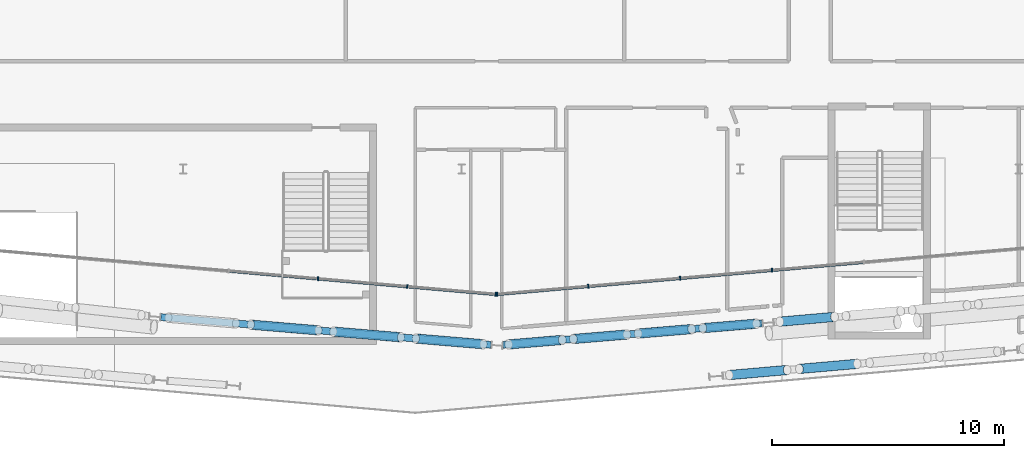
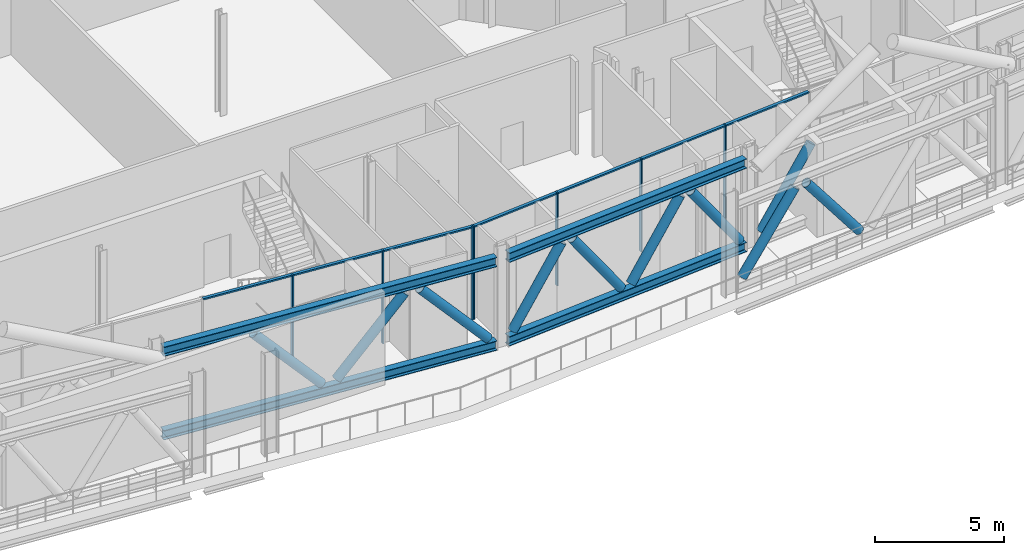
# One storey, part 7 of 35: 28 members, 2 elements without a shape of their own.
"""IFC4 building model written with IfcOpenShell, lengths in metres."""

from ifc_helpers import new_model, si_unit, direction, frame, origin, origin_2d, place, context, subcontext, project, spatial, rectangle, hollow_circle, i_section, extrude, material, material_profile, profile_set, type_object, element, aggregate, save


model = new_model("IFC4")

# Units and contexts
model_context = context("Model", 3, precision=1e-05, world=origin(), true_north=direction((0.0, 1.0)))
body_context = subcontext(model_context, "Body", "Model", "MODEL_VIEW")
ifc_project = project(units=[si_unit("LENGTHUNIT", "METRE"), si_unit("AREAUNIT", "SQUARE_METRE"), si_unit("VOLUMEUNIT", "CUBIC_METRE"), si_unit("PLANEANGLEUNIT", "RADIAN"), si_unit("MASSUNIT", "GRAM", prefix="KILO")], contexts=[model_context])

# Site, building, storey
site_placement = place(None, origin())
site = spatial("IfcSite", under=ifc_project, at=site_placement, CompositionType="ELEMENT")
building_placement = place(site_placement, origin())
building = spatial("IfcBuilding", under=site, at=building_placement, Name="Wharfspan Tower", CompositionType="ELEMENT")
storey_placement = place(building_placement, frame((0.0, 0.0, 202.300049)))
storey = spatial("IfcBuildingStorey", under=building, at=storey_placement, Name="L50", CompositionType="ELEMENT", Elevation=202.300049)

# Curtain wall, members
ifc_material_1 = material(Name="Aluminium 6063-T6", Category="aluminium")
curtain_wall_type = type_object("IfcCurtainWallType", Name="CURTAIN WALL BAND RECESS", PredefinedType="NOTDEFINED", material=ifc_material_1)
curtain_wall_1_placement = place(storey_placement, origin())
curtain_wall_1 = element("IfcCurtainWall", 1, at=curtain_wall_1_placement, inside=storey, type_object=curtain_wall_type, Name="Recess glazing R5", PredefinedType="NOTDEFINED")
ifc_material_profile_1 = material_profile(ifc_material_1, rectangle(XDim=0.159912, YDim=0.060059, at=origin_2d()))
ifc_profile_set_1 = profile_set([ifc_material_profile_1], Name="Aluminium 6063-T6")
member_type_1 = type_object("IfcMemberType", Name="MULLION BAND RECESS 60x160", PredefinedType="MULLION", material=ifc_profile_set_1)
member_1_placement = place(storey_placement, frame((61.378418, 7.143311, 0.0), z_axis=(0.0, 0.0, 1.0), x_axis=(0.087156, -0.996198, 0.0)))
member_1 = element("IfcMember", 2, at=member_1_placement, type_object=member_type_1, Name="Recess glazing R5 mullion 6", PredefinedType="MULLION", context=body_context, shape_type="SweptSolid", body=[
    extrude(rectangle(XDim=0.159912, YDim=0.060059, at=origin_2d()), origin(), (0.0, 0.0, 1.0), 4.399902),
])
member_2_placement = place(storey_placement, frame((57.418945, 6.796875, 0.0), z_axis=(0.0, 0.0, 1.0), x_axis=(0.087156, -0.996198, 0.0)))
member_2 = element("IfcMember", 3, at=member_2_placement, type_object=member_type_1, Name="Recess glazing R5 mullion 7", PredefinedType="MULLION", context=body_context, shape_type="SweptSolid", body=[
    extrude(rectangle(XDim=0.159912, YDim=0.060059, at=origin_2d()), origin(), (0.0, 0.0, 1.0), 4.399902),
])
member_3_placement = place(storey_placement, frame((53.459473, 6.450439, 0.0), z_axis=(0.0, 0.0, 1.0), x_axis=(0.087156, -0.996198, 0.0)))
member_3 = element("IfcMember", 4, at=member_3_placement, type_object=member_type_1, Name="Recess glazing R5 mullion 8", PredefinedType="MULLION", context=body_context, shape_type="SweptSolid", body=[
    extrude(rectangle(XDim=0.159912, YDim=0.060059, at=origin_2d()), origin(), (0.0, 0.0, 1.0), 4.399902),
])
member_4_placement = place(storey_placement, frame((49.529785, 6.106689, 0.0), z_axis=(0.0, 0.0, 1.0), x_axis=(0.087156, -0.996198, 0.0)))
member_4 = element("IfcMember", 5, at=member_4_placement, type_object=member_type_1, Name="Recess glazing R5 mullion 9", PredefinedType="MULLION", context=body_context, shape_type="SweptSolid", body=[
    extrude(rectangle(XDim=0.159912, YDim=0.060059, at=origin_2d()), origin(), (0.0, 0.0, 1.0), 4.399902),
])

curtain_wall_2_placement = place(storey_placement, origin())
curtain_wall_2 = element("IfcCurtainWall", 6, at=curtain_wall_2_placement, inside=storey, type_object=curtain_wall_type, Name="Recess glazing R6", PredefinedType="NOTDEFINED")
member_5_placement = place(storey_placement, frame((49.470215, 6.106689, 0.0), z_axis=(0.0, 0.0, 1.0), x_axis=(-0.087156, -0.996198, 0.0)))
member_5 = element("IfcMember", 7, at=member_5_placement, type_object=member_type_1, Name="Recess glazing R6 mullion 1", PredefinedType="MULLION", context=body_context, shape_type="SweptSolid", body=[
    extrude(rectangle(XDim=0.159912, YDim=0.060059, at=origin_2d()), origin(), (0.0, 0.0, 1.0), 4.399902),
])
member_6_placement = place(storey_placement, frame((45.657227, 6.440186, 0.0), z_axis=(0.0, 0.0, 1.0), x_axis=(-0.087156, -0.996198, 0.0)))
member_6 = element("IfcMember", 8, at=member_6_placement, type_object=member_type_1, Name="Recess glazing R6 mullion 2", PredefinedType="MULLION", context=body_context, shape_type="SweptSolid", body=[
    extrude(rectangle(XDim=0.159912, YDim=0.060059, at=origin_2d()), origin(), (0.0, 0.0, 1.0), 4.399902),
])
member_7_placement = place(storey_placement, frame((41.814209, 6.776611, 0.0), z_axis=(0.0, 0.0, 1.0), x_axis=(-0.087156, -0.996198, 0.0)))
member_7 = element("IfcMember", 9, at=member_7_placement, type_object=member_type_1, Name="Recess glazing R6 mullion 3", PredefinedType="MULLION", context=body_context, shape_type="SweptSolid", body=[
    extrude(rectangle(XDim=0.159912, YDim=0.060059, at=origin_2d()), origin(), (0.0, 0.0, 1.0), 4.399902),
])

# Member
ifc_material_profile_2 = material_profile(ifc_material_1, rectangle(XDim=0.139893, YDim=0.070068, at=origin_2d()))
ifc_profile_set_2 = profile_set([ifc_material_profile_2], Name="Aluminium 6063-T6")
member_type_2 = type_object("IfcMemberType", Name="TRANSOM BAND RECESS 70x140", PredefinedType="USERDEFINED", material=ifc_profile_set_2)
member_8_placement = place(storey_placement, frame((65.307861, 7.487061, 4.36499), z_axis=(-0.996197, -0.087127, 0.0), x_axis=(0.087127, -0.996197, 0.0)))
member_8 = element("IfcMember", 10, at=member_8_placement, type_object=member_type_2, Name="Recess glazing R5 transom 5", ObjectType="TRANSOM", PredefinedType="USERDEFINED", context=body_context, shape_type="SweptSolid", body=[
    extrude(rectangle(XDim=0.139893, YDim=0.070068, at=origin_2d()), origin(), (0.0, 0.0, 1.0), 3.914551),
])

member_9_placement = place(storey_placement, frame((61.348389, 7.140625, 4.36499), z_axis=(-0.996197, -0.087127, 0.0), x_axis=(0.087127, -0.996197, 0.0)))
member_9 = element("IfcMember", 11, at=member_9_placement, type_object=member_type_2, Name="Recess glazing R5 transom 6", ObjectType="TRANSOM", PredefinedType="USERDEFINED", context=body_context, shape_type="SweptSolid", body=[
    extrude(rectangle(XDim=0.139893, YDim=0.070068, at=origin_2d()), origin(), (0.0, 0.0, 1.0), 3.914551),
])

member_10_placement = place(storey_placement, frame((57.388916, 6.794189, 4.36499), z_axis=(-0.996197, -0.087127, 0.0), x_axis=(0.087127, -0.996197, 0.0)))
member_10 = element("IfcMember", 12, at=member_10_placement, type_object=member_type_2, Name="Recess glazing R5 transom 7", ObjectType="TRANSOM", PredefinedType="USERDEFINED", context=body_context, shape_type="SweptSolid", body=[
    extrude(rectangle(XDim=0.139893, YDim=0.070068, at=origin_2d()), origin(), (0.0, 0.0, 1.0), 3.914551),
])

member_11_placement = place(storey_placement, frame((53.429443, 6.447998, 4.36499), z_axis=(-0.996193, -0.087175, 0.0), x_axis=(0.087175, -0.996193, 0.0)))
member_11 = element("IfcMember", 13, at=member_11_placement, type_object=member_type_2, Name="Recess glazing R5 transom 8", ObjectType="TRANSOM", PredefinedType="USERDEFINED", context=body_context, shape_type="SweptSolid", body=[
    extrude(rectangle(XDim=0.139893, YDim=0.070068, at=origin_2d()), origin(), (0.0, 0.0, 1.0), 3.884521),
])

aggregate(curtain_wall_1, [member_1, member_2, member_3, member_4, member_8, member_9, member_10, member_11])

member_12_placement = place(storey_placement, frame((49.440186, 6.109375, 4.36499), z_axis=(-0.996194, 0.087158, 0.0), x_axis=(-0.087158, -0.996194, 0.0)))
member_12 = element("IfcMember", 14, at=member_12_placement, type_object=member_type_2, Name="Recess glazing R6 transom 1", ObjectType="TRANSOM", PredefinedType="USERDEFINED", context=body_context, shape_type="SweptSolid", body=[
    extrude(rectangle(XDim=0.139893, YDim=0.070068, at=origin_2d()), origin(), (0.0, 0.0, 1.0), 3.767578),
])

member_13_placement = place(storey_placement, frame((45.627197, 6.442871, 4.36499), z_axis=(-0.996193, 0.087179, 0.0), x_axis=(-0.087179, -0.996193, 0.0)))
member_13 = element("IfcMember", 15, at=member_13_placement, type_object=member_type_2, Name="Recess glazing R6 transom 2", ObjectType="TRANSOM", PredefinedType="USERDEFINED", context=body_context, shape_type="SweptSolid", body=[
    extrude(rectangle(XDim=0.139893, YDim=0.070068, at=origin_2d()), origin(), (0.0, 0.0, 1.0), 3.797363),
])

member_14_placement = place(storey_placement, frame((41.784424, 6.779053, 4.36499), z_axis=(-0.996193, 0.087173, 0.0), x_axis=(-0.087173, -0.996193, 0.0)))
member_14 = element("IfcMember", 16, at=member_14_placement, type_object=member_type_2, Name="Recess glazing R6 transom 3", ObjectType="TRANSOM", PredefinedType="USERDEFINED", context=body_context, shape_type="SweptSolid", body=[
    extrude(rectangle(XDim=0.139893, YDim=0.070068, at=origin_2d()), origin(), (0.0, 0.0, 1.0), 3.797607),
])

aggregate(curtain_wall_2, [member_5, member_6, member_7, member_12, member_13, member_14])

# Members
ifc_material_2 = material(Name="Steel S355J2", Category="steel")
ifc_material_profile_3 = material_profile(ifc_material_2, i_section(OverallWidth=0.300049, OverallDepth=0.449951, WebThickness=0.013916, FlangeThickness=0.025879, FilletRadius=0.0271, at=origin_2d()))
ifc_profile_set_3 = profile_set([ifc_material_profile_3], Name="Steel S355J2")
member_type_3 = type_object("IfcMemberType", Name="Truss chord HEB 450", PredefinedType="CHORD", material=ifc_profile_set_3)
for number, where, z_axis, x_axis, name in (
    (17, (35.04248, 5.121338, 4.175049), (0.996474, -0.083904, 0.0), (0.083904, 0.996474, 0.0), "Belt truss chord T L50 S1 PS1.2 to PS1.3"),
    (18, (35.04248, 5.121338, 0.224854), (0.996474, -0.083904, 0.0), (0.083904, 0.996474, 0.0), "Belt truss chord B L50 S1 PS1.2 to PS1.3"),
):
    element("IfcMember", number, at=place(storey_placement, frame(where, z_axis=z_axis, x_axis=x_axis)), inside=storey, type_object=member_type_3, Name=name, PredefinedType="CHORD", context=body_context, shape_type="SweptSolid", body=[
        extrude(i_section(OverallWidth=0.300049, OverallDepth=0.449951, WebThickness=0.013916, FlangeThickness=0.025879, FilletRadius=0.0271, at=origin_2d()), origin(), (0.0, 0.0, 1.0), 14.269531),
    ])
for number, where, z_axis, x_axis, name in (
    (19, (49.787842, 3.924316, 4.175049), (0.996519, 0.08337, 0.0), (-0.08337, 0.996519, 0.0), "Belt truss chord T L50 S2 PS1.3 to PS2.1"),
    (20, (49.787842, 3.924316, 0.224854), (0.996519, 0.08337, 0.0), (-0.08337, 0.996519, 0.0), "Belt truss chord B L50 S2 PS1.3 to PS2.1"),
):
    element("IfcMember", number, at=place(storey_placement, frame(where, z_axis=z_axis, x_axis=x_axis)), inside=storey, type_object=member_type_3, Name=name, PredefinedType="CHORD", context=body_context, shape_type="SweptSolid", body=[
        extrude(i_section(OverallWidth=0.300049, OverallDepth=0.449951, WebThickness=0.013916, FlangeThickness=0.025879, FilletRadius=0.0271, at=origin_2d()), origin(), (0.0, 0.0, 1.0), 11.192383),
    ])
ifc_material_3 = material(Name="Steel S460NH", Category="steel")
ifc_material_profile_4 = material_profile(ifc_material_3, hollow_circle(Radius=0.203125, WallThickness=0.016113, at=origin_2d()))
ifc_profile_set_4 = profile_set([ifc_material_profile_4], Name="Steel S460NH")
member_type_4 = type_object("IfcMemberType", Name="Truss diagonal CHS 406.4x16", PredefinedType="BRACE", material=ifc_profile_set_4)
for number, where, z_axis, x_axis, name in (
    (21, (38.922363, 4.794678, 3.813721), (0.667906, -0.056248, -0.742117), (0.083922, 0.996476, 3e-06), "Belt truss diagonal L50 S1 PS1.2 to PS1.3 2"),
    (22, (42.477051, 4.495361, 0.586182), (0.667906, -0.056248, 0.742117), (0.083922, 0.996476, -3e-06), "Belt truss diagonal L50 S1 PS1.2 to PS1.3 3"),
    (23, (46.031982, 4.196045, 3.813721), (0.667906, -0.056248, -0.742117), (0.083922, 0.996476, 3e-06), "Belt truss diagonal L50 S1 PS1.2 to PS1.3 4"),
):
    element("IfcMember", number, at=place(storey_placement, frame(where, z_axis=z_axis, x_axis=x_axis)), inside=storey, type_object=member_type_4, Name=name, PredefinedType="BRACE", context=body_context, shape_type="SweptSolid", body=[
        extrude(hollow_circle(Radius=0.203125, WallThickness=0.016113, at=origin_2d()), origin(), (0.0, 0.0, 1.0), 4.349121),
    ])
for number, where, z_axis, x_axis, name in (
    (24, (50.029541, 3.944336, 0.567383), (0.576034, 0.048201, 0.816003), (-0.083382, 0.996521, -3e-06), "Belt truss diagonal L50 S2 PS1.3 to PS2.1 1"),
    (25, (52.817871, 4.177734, 3.83252), (0.576034, 0.048201, -0.816003), (-0.083382, 0.996521, 3e-06), "Belt truss diagonal L50 S2 PS1.3 to PS2.1 2"),
    (26, (55.606201, 4.411133, 0.567383), (0.576034, 0.048201, 0.816003), (-0.083382, 0.996521, -3e-06), "Belt truss diagonal L50 S2 PS1.3 to PS2.1 3"),
    (27, (58.394531, 4.644531, 3.83252), (0.576036, 0.04814, -0.816005), (-0.083282, 0.996523, -1e-06), "Belt truss diagonal L50 S2 PS1.3 to PS2.1 4"),
):
    element("IfcMember", number, at=place(storey_placement, frame(where, z_axis=z_axis, x_axis=x_axis)), inside=storey, type_object=member_type_4, Name=name, PredefinedType="BRACE", context=body_context, shape_type="SweptSolid", body=[
        extrude(hollow_circle(Radius=0.203125, WallThickness=0.016113, at=origin_2d()), origin(), (0.0, 0.0, 1.0), 4.001465),
    ])
member_15_placement = place(storey_placement, frame((61.711914, 4.923828, 0.569336), z_axis=(0.584744, 0.051214, 0.809599), x_axis=(-0.087247, 0.996188, -2e-06)))
element("IfcMember", 28, at=member_15_placement, inside=storey, type_object=member_type_4, Name="Belt truss diagonal L50 S2 PS2.1 to PS2.2 1", PredefinedType="BRACE", context=body_context, shape_type="SweptSolid", body=[
    extrude(hollow_circle(Radius=0.203125, WallThickness=0.016113, at=origin_2d()), origin(), (0.0, 0.0, 1.0), 4.02832),
])
for number, where, z_axis, x_axis, name in (
    (29, (59.536377, 2.624023, 0.57373), (0.606617, 0.053052, 0.793222), (-0.087123, 0.996198, 0.0), "Belt truss diagonal L50 S2 PS2.1.S to PS2.2.S 1"),
    (30, (62.557129, 2.888184, 3.826172), (0.606652, 0.05311, -0.793191), (-0.087214, 0.996192, -1e-06), "Belt truss diagonal L50 S2 PS2.1.S to PS2.2.S 2"),
):
    element("IfcMember", number, at=place(storey_placement, frame(where, z_axis=z_axis, x_axis=x_axis)), inside=storey, type_object=member_type_4, Name=name, PredefinedType="BRACE", context=body_context, shape_type="SweptSolid", body=[
        extrude(hollow_circle(Radius=0.203125, WallThickness=0.016113, at=origin_2d()), origin(), (0.0, 0.0, 1.0), 4.100342),
    ])

save(model, "model.ifc")
